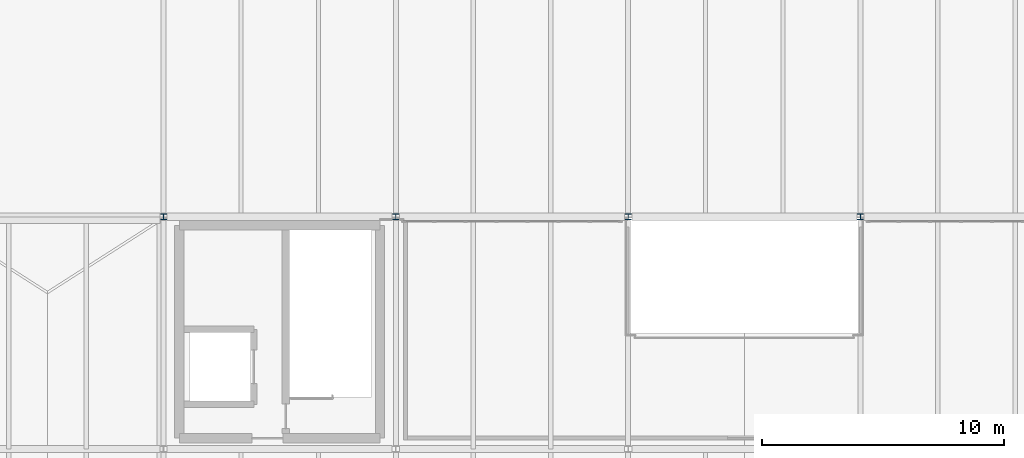
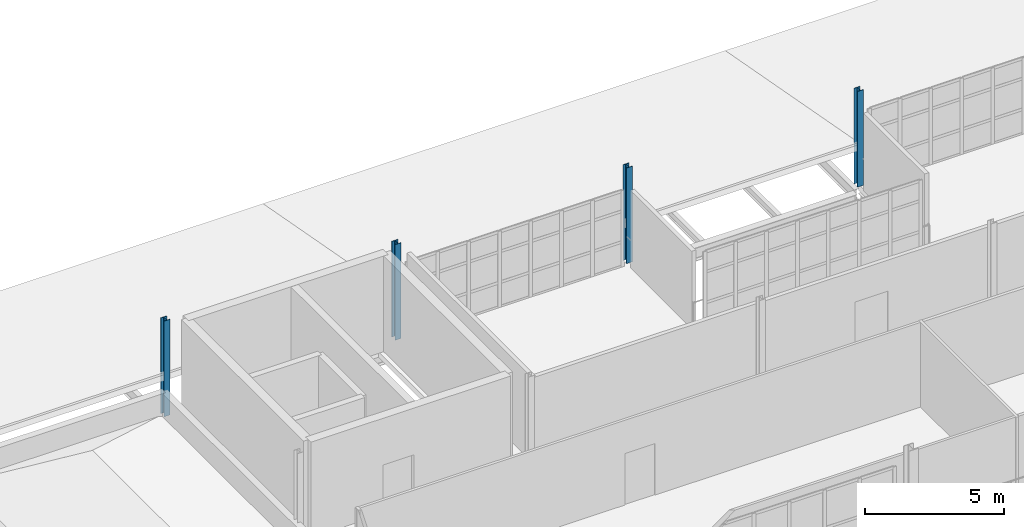
# One storey, part 8 of 58: 4 columns.
"""IFC4 building model written with IfcOpenShell, lengths in metres."""

from ifc_helpers import new_model, si_unit, direction, frame, origin, origin_2d, place, context, subcontext, project, spatial, i_section, extrude, material, material_profile, profile_set, type_object, element, save


model = new_model("IFC4")

# Units and contexts
model_context = context("Model", 3, precision=1e-05, world=origin(), true_north=direction((0.0, 1.0)))
body_context = subcontext(model_context, "Body", "Model", "MODEL_VIEW")
ifc_project = project(units=[si_unit("LENGTHUNIT", "METRE"), si_unit("AREAUNIT", "SQUARE_METRE"), si_unit("VOLUMEUNIT", "CUBIC_METRE"), si_unit("PLANEANGLEUNIT", "RADIAN"), si_unit("MASSUNIT", "GRAM", prefix="KILO")], contexts=[model_context])

# Site, building, storey
site_placement = place(None, origin())
site = spatial("IfcSite", under=ifc_project, at=site_placement, CompositionType="ELEMENT")
building_placement = place(site_placement, origin())
building = spatial("IfcBuilding", under=site, at=building_placement, Name="Yeouljin Market Hall", CompositionType="ELEMENT")
storey_placement = place(building_placement, frame((0.0, 0.0, 10.800048828125)))
storey = spatial("IfcBuildingStorey", under=building, at=storey_placement, Name="L02", CompositionType="ELEMENT", Elevation=10.800048828125)

# Columns
ifc_material = material(Name="Steel SM355", Category="steel")
ifc_material_profile = material_profile(ifc_material, i_section(OverallWidth=0.25, OverallDepth=0.25, WebThickness=0.009033203125, FlangeThickness=0.013916015625, FilletRadius=0.01611328125, at=origin_2d()), Name="H-250x250x9x14")
ifc_profile_set = profile_set([ifc_material_profile], Name="Steel SM355")
column_type = type_object("IfcColumnType", Name="Col_H-250x250x9x14", PredefinedType="COLUMN", material=ifc_profile_set)
for number, where, z_axis, x_axis, name in (
    (1, (64.199951171875, 98.39990234375, 0.0), (0.0, 0.0, 1.0), (1.0, 0.0, 0.0), "Column G-08-10 (L02)"),
    (2, (73.800048828125, 98.39990234375, 0.0), (0.0, 0.0, 1.0), (1.0, 0.0, 0.0), "Column G-09-10 (L02)"),
    (3, (83.39990234375, 98.39990234375, 0.0), (0.0, 0.0, 1.0), (1.0, 0.0, 0.0), "Column G-10-10 (L02)"),
    (4, (93.0, 98.39990234375, 0.0), (0.0, 0.0, 1.0), (1.0, 0.0, 0.0), "Column G-11-10 (L02)"),
):
    element("IfcColumn", number, at=place(storey_placement, frame(where, z_axis=z_axis, x_axis=x_axis)), inside=storey, type_object=column_type, Name=name, PredefinedType="COLUMN", context=body_context, shape_type="SweptSolid", body=[
        extrude(i_section(OverallWidth=0.25, OverallDepth=0.25, WebThickness=0.009033203125, FlangeThickness=0.013916015625, FilletRadius=0.01611328125, at=origin_2d()), origin(), (0.0, 0.0, 1.0), 4.199951171875),
    ])

save(model, "model.ifc")
